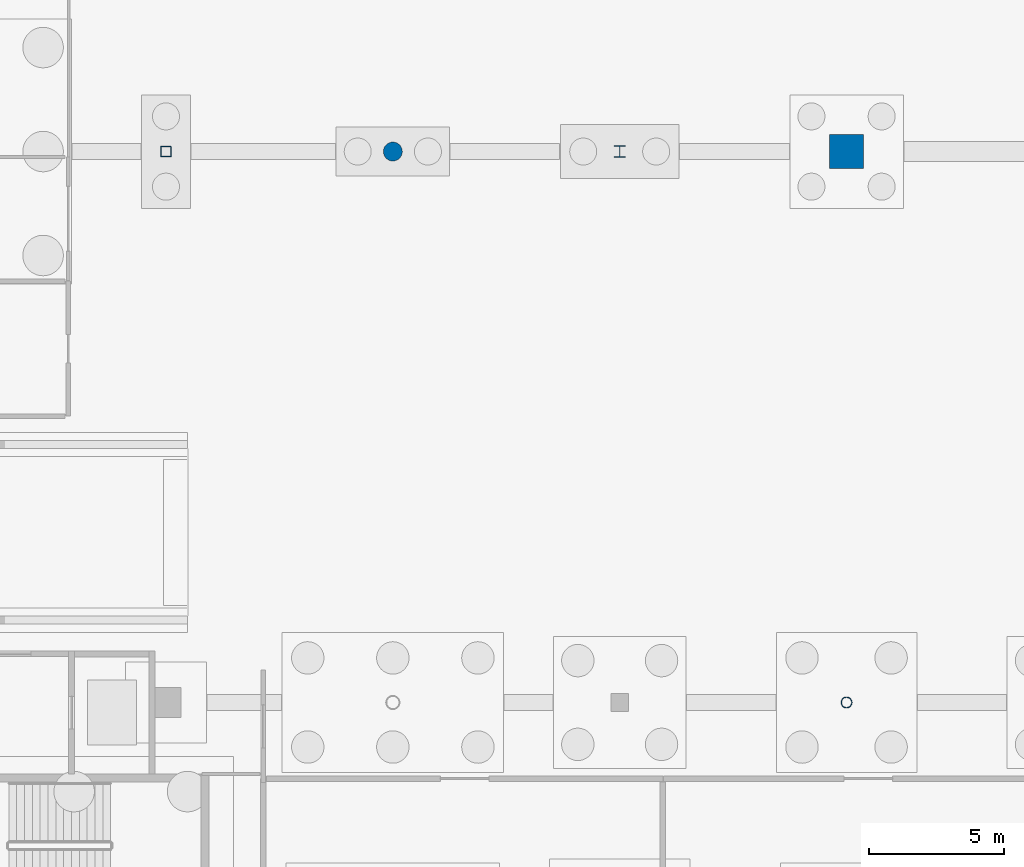
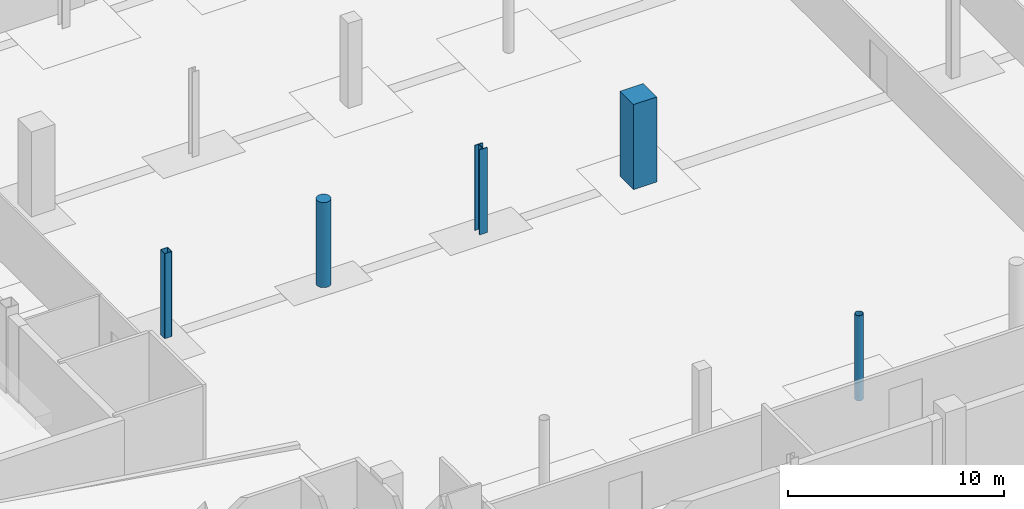
# One storey, part 8 of 34: 5 columns.
"""IFC4 building model written with IfcOpenShell, lengths in metres."""

from ifc_helpers import new_model, si_unit, direction, frame, origin, origin_2d, place, context, subcontext, project, spatial, rectangle, hollow_rectangle, circle, hollow_circle, i_section, extrude, material, material_profile, profile_set, type_object, element, save


model = new_model("IFC4")

# Units and contexts
model_context = context("Model", 3, precision=1e-05, world=origin(), true_north=direction((0.0, 1.0)))
body_context = subcontext(model_context, "Body", "Model", "MODEL_VIEW")
ifc_project = project(units=[si_unit("LENGTHUNIT", "METRE"), si_unit("AREAUNIT", "SQUARE_METRE"), si_unit("VOLUMEUNIT", "CUBIC_METRE"), si_unit("PLANEANGLEUNIT", "RADIAN"), si_unit("MASSUNIT", "GRAM", prefix="KILO")], contexts=[model_context])

# Site, building, storey
site_placement = place(None, origin())
site = spatial("IfcSite", under=ifc_project, at=site_placement, CompositionType="ELEMENT")
building_placement = place(site_placement, origin())
building = spatial("IfcBuilding", under=site, at=building_placement, Name="Larkvane Passage Sports Hall", CompositionType="ELEMENT")
storey_placement = place(building_placement, frame((0.0, 0.0, -4.800048828125)))
storey = spatial("IfcBuildingStorey", under=building, at=storey_placement, Name="B01", CompositionType="ELEMENT", Elevation=-4.800048828125)

# Columns
ifc_material_1 = material(Name="Concrete C40/50", Category="concrete")
ifc_material_profile_1 = material_profile(ifc_material_1, circle(Radius=0.35009765625, at=origin_2d()), Name="RC-CIR-700")
ifc_profile_set_1 = profile_set([ifc_material_profile_1], Name="Concrete C40/50")
column_type_1 = type_object("IfcColumnType", Name="COL-CIR-700", PredefinedType="COLUMN", material=ifc_profile_set_1)
column_1_placement = place(storey_placement, frame((51.60009765625, 51.60009765625, 0.0), z_axis=(0.0, 0.0, 1.0), x_axis=(1.0, 0.0, 0.0)))
element("IfcColumn", 1, at=column_1_placement, inside=storey, type_object=column_type_1, Name="Column 8/G B01", PredefinedType="COLUMN", context=body_context, shape_type="SweptSolid", body=[
    extrude(circle(Radius=0.35009765625, at=origin_2d()), origin(), (0.0, 0.0, 1.0), 4.800048828125),
])
ifc_material_2 = material(Name="Concrete C50/60", Category="concrete")
ifc_material_profile_2 = material_profile(ifc_material_2, rectangle(XDim=1.25, YDim=1.25, at=origin_2d()), Name="RC-COL-1250x1250")
ifc_profile_set_2 = profile_set([ifc_material_profile_2], Name="Concrete C50/60")
column_type_2 = type_object("IfcColumnType", Name="COL-RC-1250", PredefinedType="COLUMN", material=ifc_profile_set_2)
column_2_placement = place(storey_placement, frame((68.39990234375, 51.60009765625, 0.0), z_axis=(0.0, 0.0, 1.0), x_axis=(1.0, 0.0, 0.0)))
element("IfcColumn", 2, at=column_2_placement, inside=storey, type_object=column_type_2, Name="Column 10/G B01", PredefinedType="COLUMN", context=body_context, shape_type="SweptSolid", body=[
    extrude(rectangle(XDim=1.25, YDim=1.25, at=origin_2d()), origin(), (0.0, 0.0, 1.0), 4.800048828125),
])
ifc_material_3 = material(Name="Steel S355JR", Category="steel")
ifc_material_profile_3 = material_profile(ifc_material_3, hollow_circle(Radius=0.203125, WallThickness=0.01611328125, at=origin_2d()), Name="CHS-406.4x16.0")
ifc_profile_set_3 = profile_set([ifc_material_profile_3], Name="Steel S355JR")
column_type_3 = type_object("IfcColumnType", Name="COL-STL-CHS406", PredefinedType="COLUMN", material=ifc_profile_set_3)
column_3_placement = place(storey_placement, frame((68.39990234375, 31.199951171875, 0.0), z_axis=(0.0, 0.0, 1.0), x_axis=(1.0, 0.0, 0.0)))
element("IfcColumn", 3, at=column_3_placement, inside=storey, type_object=column_type_3, Name="Column 10/E B01", PredefinedType="COLUMN", context=body_context, shape_type="SweptSolid", body=[
    extrude(hollow_circle(Radius=0.203125, WallThickness=0.01611328125, at=origin_2d()), origin(), (0.0, 0.0, 1.0), 4.800048828125),
])
ifc_material_4 = material(Name="Steel S460N", Category="steel")
ifc_material_profile_4 = material_profile(ifc_material_4, i_section(OverallWidth=0.4169921875, OverallDepth=0.4580078125, WebThickness=0.030029296875, FlangeThickness=0.0400390625, FilletRadius=0.02197265625, at=origin_2d()), Name="H-458x417x30x40")
ifc_profile_set_4 = profile_set([ifc_material_profile_4], Name="Steel S460N")
column_type_4 = type_object("IfcColumnType", Name="COL-STL-H458", PredefinedType="COLUMN", material=ifc_profile_set_4)
column_4_placement = place(storey_placement, frame((60.0, 51.60009765625, 0.0), z_axis=(0.0, 0.0, 1.0), x_axis=(1.0, 0.0, 0.0)))
element("IfcColumn", 4, at=column_4_placement, inside=storey, type_object=column_type_4, Name="Column 9/G B01", PredefinedType="COLUMN", context=body_context, shape_type="SweptSolid", body=[
    extrude(i_section(OverallWidth=0.4169921875, OverallDepth=0.4580078125, WebThickness=0.030029296875, FlangeThickness=0.0400390625, FilletRadius=0.02197265625, at=origin_2d()), origin(), (0.0, 0.0, 1.0), 4.800048828125),
])
ifc_material_profile_5 = material_profile(ifc_material_4, hollow_rectangle(XDim=0.39990234375, YDim=0.39990234375, WallThickness=0.01904296875, InnerFilletRadius=0.01904296875, OuterFilletRadius=0.0380859375, at=origin_2d()), Name="SHS-400x400x19")
ifc_profile_set_5 = profile_set([ifc_material_profile_5], Name="Steel S460N")
column_type_5 = type_object("IfcColumnType", Name="COL-STL-SHS400", PredefinedType="COLUMN", material=ifc_profile_set_5)
column_5_placement = place(storey_placement, frame((43.199951171875, 51.60009765625, 0.0), z_axis=(0.0, 0.0, 1.0), x_axis=(1.0, 0.0, 0.0)))
element("IfcColumn", 5, at=column_5_placement, inside=storey, type_object=column_type_5, Name="Column 7/G B01", PredefinedType="COLUMN", context=body_context, shape_type="SweptSolid", body=[
    extrude(hollow_rectangle(XDim=0.39990234375, YDim=0.39990234375, WallThickness=0.01904296875, InnerFilletRadius=0.01904296875, OuterFilletRadius=0.0380859375, at=origin_2d()), origin(), (0.0, 0.0, 1.0), 4.800048828125),
])

save(model, "model.ifc")
